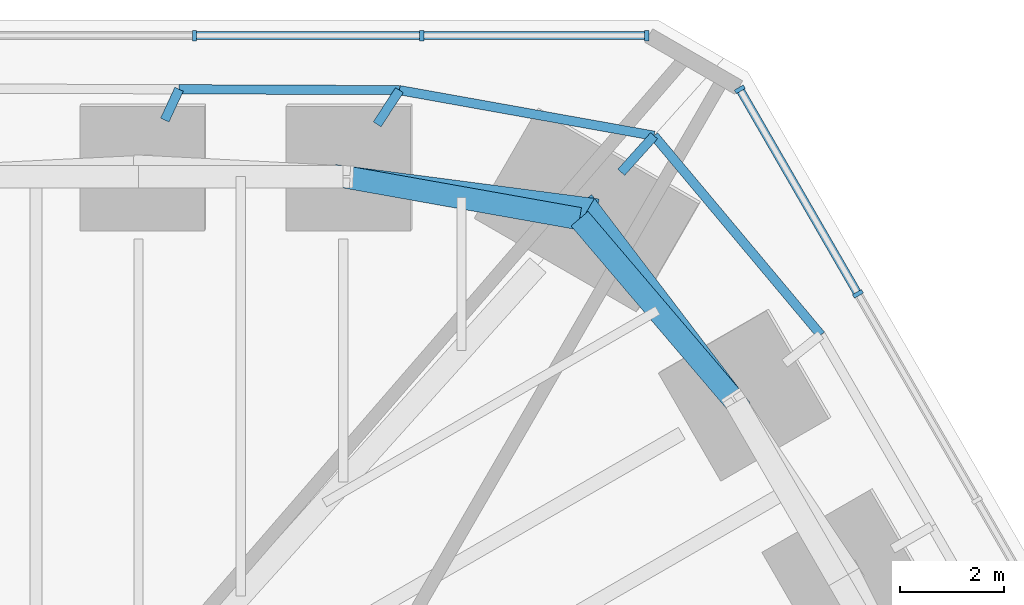
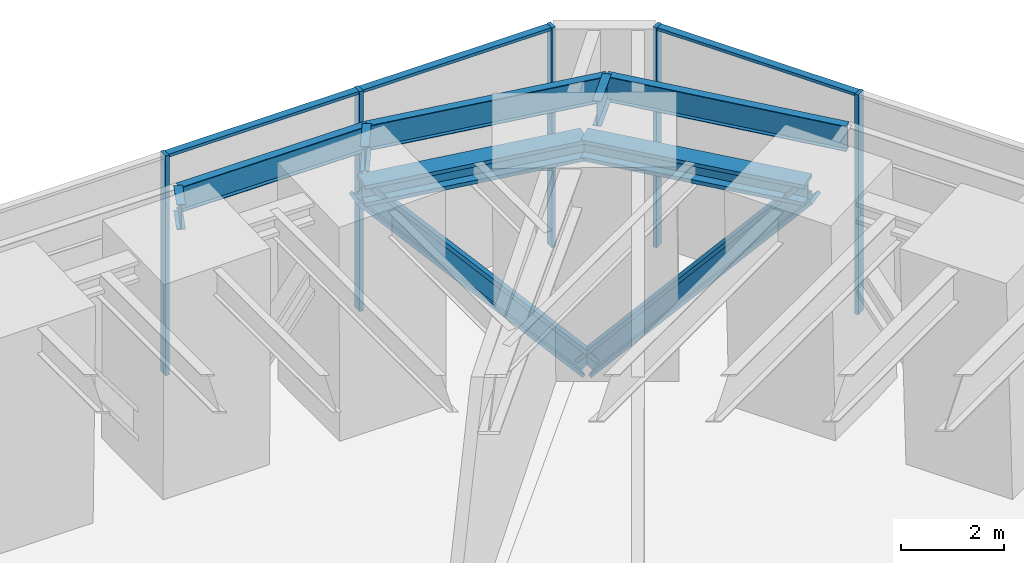
# One storey, part 9 of 13: 10 members, 8 beams, 2 elements without a shape of their own.
"""IFC4 building model written with IfcOpenShell, lengths in metres."""

from ifc_helpers import new_model, si_unit, direction, frame, origin, origin_2d, place, context, subcontext, project, spatial, rectangle, i_section, extrude, material, material_profile, profile_set, type_object, element, aggregate, save


model = new_model("IFC4")

# Units and contexts
model_context = context("Model", 3, precision=1e-05, world=origin(), true_north=direction((0.0, 1.0)))
body_context = subcontext(model_context, "Body", "Model", "MODEL_VIEW")
ifc_project = project(units=[si_unit("LENGTHUNIT", "METRE"), si_unit("AREAUNIT", "SQUARE_METRE"), si_unit("VOLUMEUNIT", "CUBIC_METRE"), si_unit("PLANEANGLEUNIT", "RADIAN"), si_unit("MASSUNIT", "GRAM", prefix="KILO")], contexts=[model_context])

# Site, building, storey
site_placement = place(None, origin())
site = spatial("IfcSite", under=ifc_project, at=site_placement, CompositionType="ELEMENT")
building_placement = place(site_placement, origin())
building = spatial("IfcBuilding", under=site, at=building_placement, Name="Sandreach Pilgrim Tower", CompositionType="ELEMENT")
storey_placement = place(building_placement, frame((0.0, 0.0, 91.39990234375)))
storey = spatial("IfcBuildingStorey", under=building, at=storey_placement, Name="L22", CompositionType="ELEMENT", Elevation=91.39990234375)

# Beams
ifc_material_1 = material(Name="Steel ASTM A913 Grade 65", Category="steel")
ifc_material_profile_1 = material_profile(ifc_material_1, i_section(OverallWidth=0.431884765625, OverallDepth=0.497802734375, WebThickness=0.0556640625, FlangeThickness=0.0888671875, at=origin_2d()), Name="W14X500")
ifc_profile_set_1 = profile_set([ifc_material_profile_1], Name="Steel ASTM A913 Grade 65")
beam_type_1 = type_object("IfcBeamType", Name="Belt truss chord W14X500", PredefinedType="BEAM", material=ifc_profile_set_1)
beam_1_placement = place(storey_placement, frame((13.789794921875, 21.23388671875, 4.9912109375), z_axis=(0.984515938739, -0.175295083699, 0.0), x_axis=(0.175295083699, 0.984515938739, 0.0)))
element("IfcBeam", 1, at=beam_1_placement, inside=storey, type_object=beam_type_1, Name="BM L22 BTT08", PredefinedType="BEAM", context=body_context, shape_type="SweptSolid", body=[
    extrude(i_section(OverallWidth=0.431884765625, OverallDepth=0.497802734375, WebThickness=0.0556640625, FlangeThickness=0.0888671875, at=origin_2d()), origin(), (0.0, 0.0, 1.0), 4.62109375),
])
beam_2_placement = place(storey_placement, frame((18.33935546875, 20.423828125, 4.9912109375), z_axis=(0.648208888384, -0.761462564425, 0.0), x_axis=(0.761462564425, 0.648208888384, 0.0)))
element("IfcBeam", 2, at=beam_2_placement, inside=storey, type_object=beam_type_1, Name="BM L22 BTT09", PredefinedType="BEAM", context=body_context, shape_type="SweptSolid", body=[
    extrude(i_section(OverallWidth=0.431884765625, OverallDepth=0.497802734375, WebThickness=0.0556640625, FlangeThickness=0.0888671875, at=origin_2d()), origin(), (0.0, 0.0, 1.0), 4.63916015625),
])

# Members
ifc_material_2 = material(Name="Steel ASTM A913 Grade 65", Category="steel")
ifc_material_profile_2 = material_profile(ifc_material_2, i_section(OverallWidth=0.424072265625, OverallDepth=0.47509765625, WebThickness=0.0478515625, FlangeThickness=0.0771484375, at=origin_2d()), Name="W14X426")
ifc_profile_set_2 = profile_set([ifc_material_profile_2], Name="Steel ASTM A913 Grade 65")
member_type_1 = type_object("IfcMemberType", Name="Belt truss diagonal W14X426", PredefinedType="BRACE", material=ifc_profile_set_2)
member_1_placement = place(storey_placement, frame((13.789794921875, 21.23388671875, 4.9912109375), z_axis=(0.655863486862, -0.08578476047, -0.749989374239), x_axis=(0.129692004754, 0.991554327257, 0.0)))
element("IfcMember", 3, at=member_1_placement, inside=storey, type_object=member_type_1, Name="Belt truss diagonal L22 bay 08", PredefinedType="BRACE", context=body_context, shape_type="SweptSolid", body=[
    extrude(i_section(OverallWidth=0.424072265625, OverallDepth=0.47509765625, WebThickness=0.0478515625, FlangeThickness=0.0771484375, at=origin_2d()), origin(), (0.0, 0.0, 1.0), 7.2001953125),
])
member_2_placement = place(storey_placement, frame((18.51220703125, 20.6162109375, -0.408935546875), z_axis=(0.39660330267, -0.521231509073, 0.755660991623), x_axis=(0.79581831179, 0.605535477589, 0.0)))
element("IfcMember", 4, at=member_2_placement, inside=storey, type_object=member_type_1, Name="Belt truss diagonal L22 bay 09", PredefinedType="BRACE", context=body_context, shape_type="SweptSolid", body=[
    extrude(i_section(OverallWidth=0.424072265625, OverallDepth=0.47509765625, WebThickness=0.0478515625, FlangeThickness=0.0771484375, at=origin_2d()), origin(), (0.0, 0.0, 1.0), 7.146240234375),
])

# Curtain wall, members
ifc_material_3 = material(Name="Aluminium framed curtain wall", Category="aluminium")
curtain_wall_type = type_object("IfcCurtainWallType", Name="Plant storey louvred curtain wall", PredefinedType="NOTDEFINED", material=ifc_material_3)
curtain_wall_1_placement = place(storey_placement, origin())
curtain_wall_1 = element("IfcCurtainWall", 5, at=curtain_wall_1_placement, inside=storey, type_object=curtain_wall_type, Name="CW-L L22 N", PredefinedType="NOTDEFINED")
ifc_material_4 = material(Name="Aluminium extrusion", Category="aluminium")
ifc_material_profile_3 = material_profile(ifc_material_4, rectangle(XDim=0.080078125, YDim=0.199951171875, at=origin_2d()), Name="CW-LM 80X200")
ifc_profile_set_3 = profile_set([ifc_material_profile_3], Name="Aluminium extrusion")
member_type_2 = type_object("IfcMemberType", Name="CW-L mullion", PredefinedType="MULLION", material=ifc_profile_set_3)
member_3_placement = place(storey_placement, frame((10.928955078125, 23.94873046875, 0.0), z_axis=(0.0, 0.0, 1.0), x_axis=(1.0, 0.0, 0.0)))
member_3 = element("IfcMember", 6, at=member_3_placement, type_object=member_type_2, Name="CW-L mullion 8", PredefinedType="MULLION", context=body_context, shape_type="SweptSolid", body=[
    extrude(rectangle(XDim=0.080078125, YDim=0.199951171875, at=origin_2d()), origin(), (0.0, 0.0, 1.0), 5.239990234375),
])
member_4_placement = place(storey_placement, frame((15.300537109375, 23.94873046875, 0.0), z_axis=(0.0, 0.0, 1.0), x_axis=(1.0, 0.0, 0.0)))
member_4 = element("IfcMember", 7, at=member_4_placement, type_object=member_type_2, Name="CW-L mullion 9", PredefinedType="MULLION", context=body_context, shape_type="SweptSolid", body=[
    extrude(rectangle(XDim=0.080078125, YDim=0.199951171875, at=origin_2d()), origin(), (0.0, 0.0, 1.0), 5.239990234375),
])
member_5_placement = place(storey_placement, frame((19.632080078125, 23.94873046875, 0.0), z_axis=(0.0, 0.0, 1.0), x_axis=(1.0, 0.0, 0.0)))
member_5 = element("IfcMember", 8, at=member_5_placement, type_object=member_type_2, Name="CW-L mullion 10", PredefinedType="MULLION", context=body_context, shape_type="SweptSolid", body=[
    extrude(rectangle(XDim=0.080078125, YDim=0.199951171875, at=origin_2d()), origin(), (0.0, 0.0, 1.0), 5.239990234375),
])

curtain_wall_2_placement = place(storey_placement, origin())
curtain_wall_2 = element("IfcCurtainWall", 9, at=curtain_wall_2_placement, inside=storey, type_object=curtain_wall_type, Name="CW-L L22 NE", PredefinedType="NOTDEFINED")
member_6_placement = place(storey_placement, frame((21.424072265625, 22.9140625, 0.0), z_axis=(0.0, 0.0, 1.0), x_axis=(0.5, -0.866025403784, 0.0)))
member_6 = element("IfcMember", 10, at=member_6_placement, type_object=member_type_2, Name="CW-L mullion 1", PredefinedType="MULLION", context=body_context, shape_type="SweptSolid", body=[
    extrude(rectangle(XDim=0.080078125, YDim=0.199951171875, at=origin_2d()), origin(), (0.0, 0.0, 1.0), 5.239990234375),
])
member_7_placement = place(storey_placement, frame((23.697265625, 18.97705078125, 0.0), z_axis=(0.0, 0.0, 1.0), x_axis=(0.5, -0.866025403784, 0.0)))
member_7 = element("IfcMember", 11, at=member_7_placement, type_object=member_type_2, Name="CW-L mullion 2", PredefinedType="MULLION", context=body_context, shape_type="SweptSolid", body=[
    extrude(rectangle(XDim=0.080078125, YDim=0.199951171875, at=origin_2d()), origin(), (0.0, 0.0, 1.0), 5.239990234375),
])

# Member
ifc_material_5 = material(Name="Aluminium extrusion", Category="aluminium")
ifc_material_profile_4 = material_profile(ifc_material_5, rectangle(XDim=0.159912109375, YDim=0.070068359375, at=origin_2d()), Name="CW-LT 160X70")
ifc_profile_set_4 = profile_set([ifc_material_profile_4], Name="Aluminium extrusion")
member_type_3 = type_object("IfcMemberType", Name="CW-L transom", PredefinedType="USERDEFINED", material=ifc_profile_set_4)
member_8_placement = place(storey_placement, frame((10.968994140625, 23.94873046875, 5.205078125), z_axis=(1.0, 0.0, 0.0), x_axis=(0.0, 1.0, 0.0)))
member_8 = element("IfcMember", 12, at=member_8_placement, type_object=member_type_3, Name="CW-L head transom 8", ObjectType="TRANSOM", PredefinedType="USERDEFINED", context=body_context, shape_type="SweptSolid", body=[
    extrude(rectangle(XDim=0.159912109375, YDim=0.070068359375, at=origin_2d()), origin(), (0.0, 0.0, 1.0), 4.29150390625),
])

member_9_placement = place(storey_placement, frame((15.340576171875, 23.94873046875, 5.205078125), z_axis=(1.0, 0.0, 0.0), x_axis=(0.0, 1.0, 0.0)))
member_9 = element("IfcMember", 13, at=member_9_placement, type_object=member_type_3, Name="CW-L head transom 9", ObjectType="TRANSOM", PredefinedType="USERDEFINED", context=body_context, shape_type="SweptSolid", body=[
    extrude(rectangle(XDim=0.159912109375, YDim=0.070068359375, at=origin_2d()), origin(), (0.0, 0.0, 1.0), 4.25146484375),
])

aggregate(curtain_wall_1, [member_3, member_4, member_5, member_8, member_9])

member_10_placement = place(storey_placement, frame((21.444091796875, 22.87939453125, 5.205078125), z_axis=(0.500025297701, -0.866010797658, 0.0), x_axis=(0.866010797658, 0.500025297701, 0.0)))
member_10 = element("IfcMember", 14, at=member_10_placement, type_object=member_type_3, Name="CW-L head transom 1", ObjectType="TRANSOM", PredefinedType="USERDEFINED", context=body_context, shape_type="SweptSolid", body=[
    extrude(rectangle(XDim=0.159912109375, YDim=0.070068359375, at=origin_2d()), origin(), (0.0, 0.0, 1.0), 4.466064453125),
])

aggregate(curtain_wall_2, [member_6, member_7, member_10])

# Beams
ifc_material_6 = material(Name="Steel ASTM A992 Grade 50", Category="steel")
ifc_material_profile_5 = material_profile(ifc_material_6, i_section(OverallWidth=0.1787109375, OverallDepth=0.60205078125, WebThickness=0.010986328125, FlangeThickness=0.014892578125, at=origin_2d()), Name="W24X62")
ifc_profile_set_5 = profile_set([ifc_material_profile_5], Name="Steel ASTM A992 Grade 50")
beam_type_2 = type_object("IfcBeamType", Name="Setback roof edge beam W24X62", PredefinedType="BEAM", material=ifc_profile_set_5)
beam_3_placement = place(storey_placement, frame((10.6298828125, 22.91552734375, 4.899169921875), z_axis=(0.999991880839, -0.004029671962, 0.0), x_axis=(0.004029671962, 0.999991880839, 0.0)))
element("IfcBeam", 15, at=beam_3_placement, inside=storey, type_object=beam_type_2, Name="BM L22 RE07", PredefinedType="BEAM", context=body_context, shape_type="SweptSolid", body=[
    extrude(i_section(OverallWidth=0.1787109375, OverallDepth=0.60205078125, WebThickness=0.010986328125, FlangeThickness=0.014892578125, at=origin_2d()), origin(), (0.0, 0.0, 1.0), 4.240966796875),
])
beam_4_placement = place(storey_placement, frame((14.870849609375, 22.8984375, 4.899169921875), z_axis=(0.984350225556, -0.176223248886, 0.0), x_axis=(0.176223248886, 0.984350225556, 0.0)))
element("IfcBeam", 16, at=beam_4_placement, inside=storey, type_object=beam_type_2, Name="BM L22 RE08", PredefinedType="BEAM", context=body_context, shape_type="SweptSolid", body=[
    extrude(i_section(OverallWidth=0.1787109375, OverallDepth=0.60205078125, WebThickness=0.010986328125, FlangeThickness=0.014892578125, at=origin_2d()), origin(), (0.0, 0.0, 1.0), 4.98046875),
])
beam_5_placement = place(storey_placement, frame((19.7734375, 22.020751953125, 4.899169921875), z_axis=(0.642055475608, -0.766658180836, 0.0), x_axis=(0.766658180836, 0.642055475608, 0.0)))
element("IfcBeam", 17, at=beam_5_placement, inside=storey, type_object=beam_type_2, Name="BM L22 RE09", PredefinedType="BEAM", context=body_context, shape_type="SweptSolid", body=[
    extrude(i_section(OverallWidth=0.1787109375, OverallDepth=0.60205078125, WebThickness=0.010986328125, FlangeThickness=0.014892578125, at=origin_2d()), origin(), (0.0, 0.0, 1.0), 5.000244140625),
])
ifc_material_7 = material(Name="Steel ASTM A992 Grade 50", Category="steel")
ifc_material_profile_6 = material_profile(ifc_material_7, i_section(OverallWidth=0.1787109375, OverallDepth=0.60205078125, WebThickness=0.010986328125, FlangeThickness=0.014892578125, at=origin_2d()), Name="W24X62")
ifc_profile_set_6 = profile_set([ifc_material_profile_6], Name="Steel ASTM A992 Grade 50")
beam_type_3 = type_object("IfcBeamType", Name="Setback roof outlooker W24X62", PredefinedType="BEAM", material=ifc_profile_set_6)
beam_6_placement = place(storey_placement, frame((10.354736328125, 22.322265625, 4.899169921875), z_axis=(0.420738336654, 0.907182039102, 0.0), x_axis=(-0.907182039102, 0.420738336654, 0.0)))
element("IfcBeam", 18, at=beam_6_placement, inside=storey, type_object=beam_type_3, Name="BM L22 OL07", PredefinedType="BEAM", context=body_context, shape_type="SweptSolid", body=[
    extrude(i_section(OverallWidth=0.1787109375, OverallDepth=0.60205078125, WebThickness=0.010986328125, FlangeThickness=0.014892578125, at=origin_2d()), origin(), (0.0, 0.0, 1.0), 0.654052734375),
])
beam_7_placement = place(storey_placement, frame((14.443359375, 22.240234375, 4.899169921875), z_axis=(0.544682165318, 0.838642557223, 0.0), x_axis=(-0.838642557223, 0.544682165318, 0.0)))
element("IfcBeam", 19, at=beam_7_placement, inside=storey, type_object=beam_type_3, Name="BM L22 OL08", PredefinedType="BEAM", context=body_context, shape_type="SweptSolid", body=[
    extrude(i_section(OverallWidth=0.1787109375, OverallDepth=0.60205078125, WebThickness=0.010986328125, FlangeThickness=0.014892578125, at=origin_2d()), origin(), (0.0, 0.0, 1.0), 0.784912109375),
])
beam_8_placement = place(storey_placement, frame((19.14111328125, 21.316650390625, 4.899169921875), z_axis=(0.66816617818, 0.744012068676, 0.0), x_axis=(-0.744012068676, 0.66816617818, 0.0)))
element("IfcBeam", 20, at=beam_8_placement, inside=storey, type_object=beam_type_3, Name="BM L22 OL09", PredefinedType="BEAM", context=body_context, shape_type="SweptSolid", body=[
    extrude(i_section(OverallWidth=0.1787109375, OverallDepth=0.60205078125, WebThickness=0.010986328125, FlangeThickness=0.014892578125, at=origin_2d()), origin(), (0.0, 0.0, 1.0), 0.9462890625),
])

save(model, "model.ifc")
